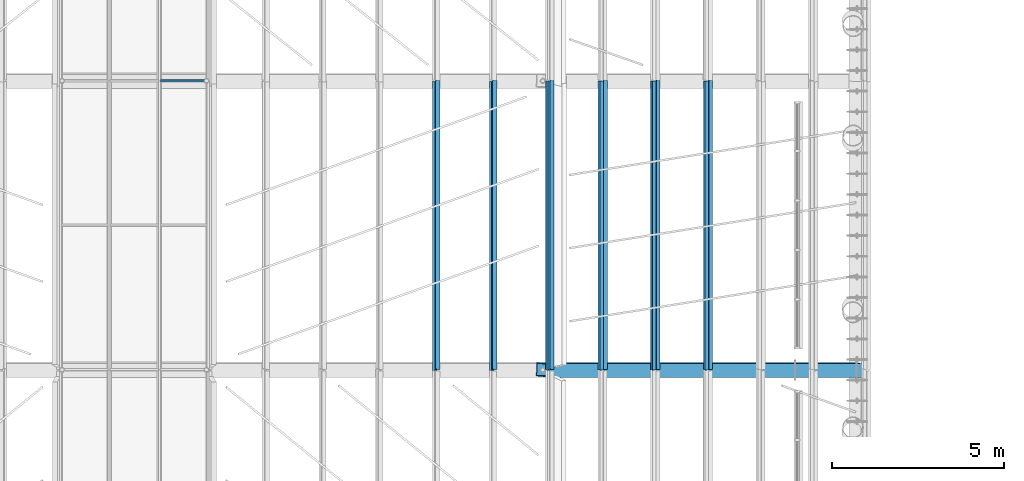
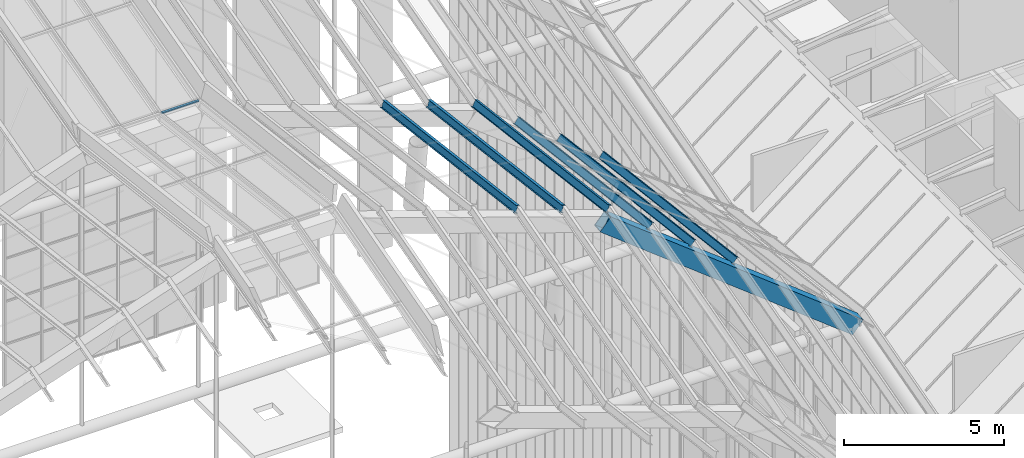
# One storey, part 46 of 126: 7 members, 1 beam.
"""IFC4 building model written with IfcOpenShell, lengths in metres."""

import ifcopenshell
import ifcopenshell.guid

model = None  # the IFC model being written
_history = None  # IfcOwnerHistory: only IFC2X3 demands one
_inside = {}  # id of a spatial element -> (the spatial element, [elements in it])
_under = {}  # id of a project, library or spatial element -> (it, [spatial elements below it])
_declared = {}  # id of a project -> (the project, [libraries it declares])
_typed = {}  # id of a type object -> (the type object, [elements of that type])
_made_of = {}  # id of a material, layer set ... -> (it, [elements and type objects made of it])


def new_model(schema):
    """Start an empty IFC model of exactly this schema.

    Asked for "IFC4X3", IfcOpenShell would pick the latest addendum, in which some entities
    have other attributes; the version numbers below select the first issue.
    IFC2X3 requires an IfcOwnerHistory on every rooted entity: one is made here for all.
    """
    global model, _history
    if schema == "IFC4X3":
        model = ifcopenshell.file(schema_version=(4, 3, 0, 0))
    else:
        model = ifcopenshell.file(schema=schema)
    _inside.clear()
    _under.clear()
    _declared.clear()
    _typed.clear()
    _made_of.clear()
    _history = None
    if model.schema == "IFC2X3":
        org = make("IfcOrganization", Name="unknown")
        user = make(
            "IfcPersonAndOrganization",
            ThePerson=make("IfcPerson", FamilyName="unknown"),
            TheOrganization=org,
        )
        app = make(
            "IfcApplication",
            ApplicationDeveloper=org,
            Version="unknown",
            ApplicationFullName="unknown",
            ApplicationIdentifier="unknown",
        )
        _history = make(
            "IfcOwnerHistory",
            OwningUser=user,
            OwningApplication=app,
            ChangeAction="ADDED",
            CreationDate=0,
        )
    return model


def make(cls, **values):
    """One entity of the class cls with the attributes given. An attribute that is None is left unset."""
    return model.create_entity(
        cls, **{name: value for name, value in values.items() if value is not None}
    )


def rooted(cls, **values):
    """An entity with a GlobalId (a new one), such as an element, a storey or a relation."""
    return make(cls, GlobalId=ifcopenshell.guid.new(), OwnerHistory=_history, **values)


def si_unit(unit_type, name, prefix=None):
    """IfcSIUnit, for example si_unit("LENGTHUNIT", "METRE", prefix="MILLI")."""
    return make("IfcSIUnit", UnitType=unit_type, Prefix=prefix, Name=name)


def assignment(units):
    """IfcUnitAssignment: the units of a project."""
    return None if units is None else make("IfcUnitAssignment", Units=units)


def point(xyz):
    """IfcCartesianPoint."""
    return None if xyz is None else make("IfcCartesianPoint", Coordinates=xyz)


def direction(xyz):
    """IfcDirection."""
    return None if xyz is None else make("IfcDirection", DirectionRatios=xyz)


def frame(location, z_axis=None, x_axis=None):
    """IfcAxis2Placement3D, a coordinate frame: its origin and axes. An axis left out is left unset."""
    return make(
        "IfcAxis2Placement3D",
        Location=point(location),
        Axis=direction(z_axis),
        RefDirection=direction(x_axis),
    )


def frame_2d(location, x_axis=None):
    """IfcAxis2Placement2D, a coordinate frame in the plane: its origin and x axis."""
    return make(
        "IfcAxis2Placement2D", Location=point(location), RefDirection=direction(x_axis)
    )


def origin():
    """The frame at (0, 0, 0) with its axes left unset."""
    return frame((0.0, 0.0, 0.0))


def origin_2d():
    """The frame at (0, 0) in the plane with its x axis left unset."""
    return frame_2d((0.0, 0.0))


def place(relative_to, where):
    """IfcLocalPlacement: puts the frame where relative to a parent placement (None: the world)."""
    return make(
        "IfcLocalPlacement", PlacementRelTo=relative_to, RelativePlacement=where
    )


def context(
    kind, dimensions, precision=None, world=None, true_north=None, identifier=None
):
    """IfcGeometricRepresentationContext, for example the 3D "Model" context."""
    return make(
        "IfcGeometricRepresentationContext",
        ContextIdentifier=identifier,
        ContextType=kind,
        CoordinateSpaceDimension=dimensions,
        Precision=precision,
        WorldCoordinateSystem=world,
        TrueNorth=true_north,
    )


def subcontext(parent, identifier, kind, view, scale=None):
    """IfcGeometricRepresentationSubContext, for example "Body" below "Model"."""
    return make(
        "IfcGeometricRepresentationSubContext",
        ContextIdentifier=identifier,
        ContextType=kind,
        ParentContext=parent,
        TargetScale=scale,
        TargetView=view,
    )


def project(units=None, contexts=None):
    """IfcProject with its units and contexts."""
    return rooted(
        "IfcProject",
        Name="project",
        RepresentationContexts=contexts,
        UnitsInContext=assignment(units),
    )


def spatial(cls, under=None, at=None, **own):
    """A site, building, storey or space (cls), placed at a placement, below another one or the project."""
    s = rooted(cls, ObjectPlacement=at, **own)
    if under is not None:
        _under.setdefault(under.id(), (under, []))[1].append(s)
    return s


def polyline(points):
    """IfcPolyline through the points."""
    return make("IfcPolyline", Points=[point(p) for p in points])


def profile(cls, at=None, kind="AREA", **sizes):
    """A parametric profile (cls). Its sizes go by their IFC names, for example OverallWidth=200.0."""
    return make(cls, ProfileType=kind, Position=at, **sizes)


def rectangle(**sizes):
    """IfcRectangleProfileDef."""
    return profile("IfcRectangleProfileDef", **sizes)


def i_section(**sizes):
    """IfcIShapeProfileDef."""
    return profile("IfcIShapeProfileDef", **sizes)


def outline(outer, holes=None, kind="AREA"):
    """IfcArbitraryClosedProfileDef: a profile drawn as a closed curve; with holes, ...WithVoids."""
    if holes is None:
        return make("IfcArbitraryClosedProfileDef", ProfileType=kind, OuterCurve=outer)
    return make(
        "IfcArbitraryProfileDefWithVoids",
        ProfileType=kind,
        OuterCurve=outer,
        InnerCurves=holes,
    )


def extrude(swept, where, along, depth):
    """IfcExtrudedAreaSolid: the profile swept, set in the frame where, extruded along a direction by depth."""
    return make(
        "IfcExtrudedAreaSolid",
        SweptArea=swept,
        Position=where,
        ExtrudedDirection=direction(along),
        Depth=depth,
    )


def shape(context_of_items, identifier, shape_type, items):
    """IfcShapeRepresentation: the items that make up one representation, for example the "Body"."""
    return make(
        "IfcShapeRepresentation",
        ContextOfItems=context_of_items,
        RepresentationIdentifier=identifier,
        RepresentationType=shape_type,
        Items=items,
    )


def material(Name=None, Category=None):
    """IfcMaterial."""
    return make("IfcMaterial", Name=Name, Category=Category)


def material_profile(
    of_material, cross_section, Name=None, Category=None, Priority=None
):
    """IfcMaterialProfile: a cross section and its material."""
    return make(
        "IfcMaterialProfile",
        Name=Name,
        Material=of_material,
        Profile=cross_section,
        Priority=Priority,
        Category=Category,
    )


def profile_set(profiles, Name=None, composite=None):
    """IfcMaterialProfileSet."""
    return make(
        "IfcMaterialProfileSet",
        Name=Name,
        MaterialProfiles=profiles,
        CompositeProfile=composite,
    )


def made_of(thing, what):
    """Note that an element or type object is made of a material, layer set ...; save() writes the relation."""
    if what is not None:
        _made_of.setdefault(what.id(), (what, []))[1].append(thing)
    return thing


def type_object(cls, material=None, **own):
    """A type object (cls), such as IfcWallType, which elements share."""
    return made_of(rooted(cls, **own), material)


def element(
    cls,
    number,
    at=None,
    inside=None,
    cuts=None,
    type_object=None,
    material=None,
    context=None,
    identifier="Body",
    shape_type=None,
    held_by="IfcProductDefinitionShape",
    body=None,
    shapes=None,
    **own,
):
    """One element of the class cls, such as IfcWall. Its Tag is "e" and its number.

    at: its placement. inside: the storey or other place that contains it. cuts: it is an
    opening in that element (IfcRelVoidsElement). A single representation is given by context,
    identifier, shape_type and body (its items); several are given by shapes. held_by: the class
    of the entity that holds the representations. save() writes the other relations.
    """
    e = rooted(cls, Tag="e%d" % number, ObjectPlacement=at, **own)
    if body is not None:
        shapes = [shape(context, identifier, shape_type, body)]
    if shapes is not None:
        e.Representation = make(held_by, Representations=shapes)
    if inside is not None:
        _inside.setdefault(inside.id(), (inside, []))[1].append(e)
    if cuts is not None:
        rooted(
            "IfcRelVoidsElement", RelatingBuildingElement=cuts, RelatedOpeningElement=e
        )
    if type_object is not None:
        _typed.setdefault(type_object.id(), (type_object, []))[1].append(e)
    return made_of(e, material)


def aggregate(whole, parts):
    """IfcRelAggregates: a whole, such as a stair, and the parts it consists of."""
    return rooted("IfcRelAggregates", RelatingObject=whole, RelatedObjects=parts)


def save(model, path):
    """Write the relations noted so far, then the file.

    IfcRelAggregates (storeys below a building ...), IfcRelContainedInSpatialStructure (elements
    in a storey), IfcRelDefinesByType, IfcRelAssociatesMaterial and IfcRelDeclares: one each for
    every whole, place, type object, material and project.
    """
    for whole, parts in _under.values():
        aggregate(whole, parts)
    for where, things in _inside.values():
        rooted(
            "IfcRelContainedInSpatialStructure",
            RelatedElements=things,
            RelatingStructure=where,
        )
    for kind, things in _typed.values():
        rooted("IfcRelDefinesByType", RelatedObjects=things, RelatingType=kind)
    for what, things in _made_of.values():
        rooted("IfcRelAssociatesMaterial", RelatedObjects=things, RelatingMaterial=what)
    for by, libraries in _declared.values():
        rooted("IfcRelDeclares", RelatingContext=by, RelatedDefinitions=libraries)
    model.write(path)


model = new_model("IFC4")

# Units and contexts
model_context = context("Model", 3, precision=1e-05, world=origin(), true_north=direction((0.0, 1.0)))
body_context = subcontext(model_context, "Body", "Model", "MODEL_VIEW")
ifc_project = project(units=[si_unit("LENGTHUNIT", "METRE"), si_unit("AREAUNIT", "SQUARE_METRE"), si_unit("VOLUMEUNIT", "CUBIC_METRE"), si_unit("PLANEANGLEUNIT", "RADIAN"), si_unit("MASSUNIT", "GRAM", prefix="KILO")], contexts=[model_context])

# Site, building, storey
site_placement = place(None, origin())
site = spatial("IfcSite", under=ifc_project, at=site_placement, CompositionType="ELEMENT")
building_placement = place(site_placement, origin())
building = spatial("IfcBuilding", under=site, at=building_placement, Name="Sava Quay Ferry Terminal", CompositionType="ELEMENT")
storey_placement = place(building_placement, frame((0.0, 0.0, 15.0)))
storey = spatial("IfcBuildingStorey", under=building, at=storey_placement, Name="L03", CompositionType="ELEMENT", Elevation=15.0)

# Beam
ifc_material_1 = material(Name="Steel S355", Category="steel")
ifc_material_profile_1 = material_profile(ifc_material_1, outline(polyline([(-0.199951171875, -0.300048828125), (0.199951171875, -0.300048828125), (0.199951171875, 0.300048828125), (-0.199951171875, 0.300048828125), (-0.199951171875, -0.300048828125)]), holes=[polyline([(-0.175048828125, -0.27490234375), (-0.175048828125, 0.27490234375), (0.175048828125, 0.27490234375), (0.175048828125, -0.27490234375), (-0.175048828125, -0.27490234375)])]), Name="Box 600x400x25 built-up")
ifc_profile_set_1 = profile_set([ifc_material_profile_1], Name="Steel S355")
beam_type = type_object("IfcBeamType", Name="D folded rib Box 600x400x25", PredefinedType="BEAM", material=ifc_profile_set_1)
beam_placement = place(storey_placement, frame((74.8701171875, 75.60009765625, 19.2041015625), z_axis=(0.788010316968, 0.0, -0.615662034198), x_axis=(0.036969644414, 0.998195454511, 0.047318917839)))
element("IfcBeam", 1, at=beam_placement, inside=storey, type_object=beam_type, Name="Departure hall folded rib R3 seg 5", PredefinedType="BEAM", context=body_context, shape_type="SweptSolid", body=[
    extrude(outline(polyline([(-0.199951171875, -0.300048828125), (0.199951171875, -0.300048828125), (0.199951171875, 0.300048828125), (-0.199951171875, 0.300048828125), (-0.199951171875, -0.300048828125)]), holes=[polyline([(-0.175048828125, -0.27490234375), (-0.175048828125, 0.27490234375), (0.175048828125, 0.27490234375), (0.175048828125, -0.27490234375), (-0.175048828125, -0.27490234375)])]), origin(), (0.0, 0.0, 1.0), 11.5859375),
])

# Members
ifc_material_2 = material(Name="Aluminium EN AW-6063 T6", Category="aluminium")
ifc_material_profile_2 = material_profile(ifc_material_2, rectangle(XDim=0.06005859375, YDim=0.06005859375, at=origin_2d()), Name="Bar 60 x 60")
ifc_profile_set_2 = profile_set([ifc_material_profile_2], Name="Aluminium EN AW-6063 T6")
member_type_1 = type_object("IfcMemberType", Name="Glazing bar 60x60", PredefinedType="USERDEFINED", material=ifc_profile_set_2)
member_placement = place(storey_placement, frame((63.763427734375, 84.0, 22.1279296875), z_axis=(1.0, 0.0, 0.0), x_axis=(0.0, 0.964556832817, 0.263875190699)))
element("IfcMember", 2, at=member_placement, inside=storey, type_object=member_type_1, Name="Departure hall glazing bar D-R4-GT2.2", ObjectType="GLAZING BAR", PredefinedType="USERDEFINED", context=body_context, shape_type="SweptSolid", body=[
    extrude(rectangle(XDim=0.06005859375, YDim=0.06005859375, at=origin_2d()), origin(), (0.0, 0.0, 1.0), 1.356689453125),
])
ifc_material_3 = material(Name="Steel S355", Category="steel")
ifc_material_profile_3 = material_profile(ifc_material_3, i_section(OverallWidth=0.135009765625, OverallDepth=0.27001953125, WebThickness=0.006591796875, FlangeThickness=0.01025390625, at=origin_2d()), Name="IPE 270")
ifc_profile_set_3 = profile_set([ifc_material_profile_3], Name="Steel S355")
member_type_2 = type_object("IfcMemberType", Name="Roof purlin IPE 270", PredefinedType="PURLIN", material=ifc_profile_set_3)
for number, where, z_axis, x_axis, name in (
    (3, (71.77685546875, 75.60009765625, 20.732421875), (0.0, 0.992393702798, -0.123104584187), (-0.946278888601, 0.039806065742, 0.320892103546), "Departure hall purlin bay 4 M3.4"),
    (4, (73.427978515625, 75.60009765625, 20.163818359375), (0.0, 0.992393702798, -0.123104584187), (-0.946278888601, 0.039806065742, 0.320892103546), "Departure hall purlin bay 4 M3.5"),
    (5, (75.079345703125, 75.60009765625, 19.59521484375), (0.0, 0.992393702798, -0.123104584187), (-0.880255099686, 0.05841321723, 0.470891553895), "Departure hall purlin bay 4 V4"),
    (6, (76.6103515625, 75.60009765625, 18.39892578125), (0.0, 0.992393702798, -0.123104584187), (-0.790283793055, 0.075431225352, 0.608080304463), "Departure hall purlin bay 4 M4.1"),
    (7, (78.1416015625, 75.60009765625, 17.20263671875), (0.0, 0.992393702798, -0.123104584187), (-0.790283793055, 0.075431225352, 0.608080304463), "Departure hall purlin bay 4 M4.2"),
    (8, (79.6728515625, 75.60009765625, 16.00634765625), (0.0, 0.992393702798, -0.123104584187), (-0.790283793055, 0.075431225352, 0.608080304463), "Departure hall purlin bay 4 M4.3"),
):
    element("IfcMember", number, at=place(storey_placement, frame(where, z_axis=z_axis, x_axis=x_axis)), inside=storey, type_object=member_type_2, Name=name, PredefinedType="PURLIN", context=body_context, shape_type="SweptSolid", body=[
        extrude(i_section(OverallWidth=0.135009765625, OverallDepth=0.27001953125, WebThickness=0.006591796875, FlangeThickness=0.01025390625, at=origin_2d()), origin(), (0.0, 0.0, 1.0), 8.46435546875),
    ])

save(model, "model.ifc")
